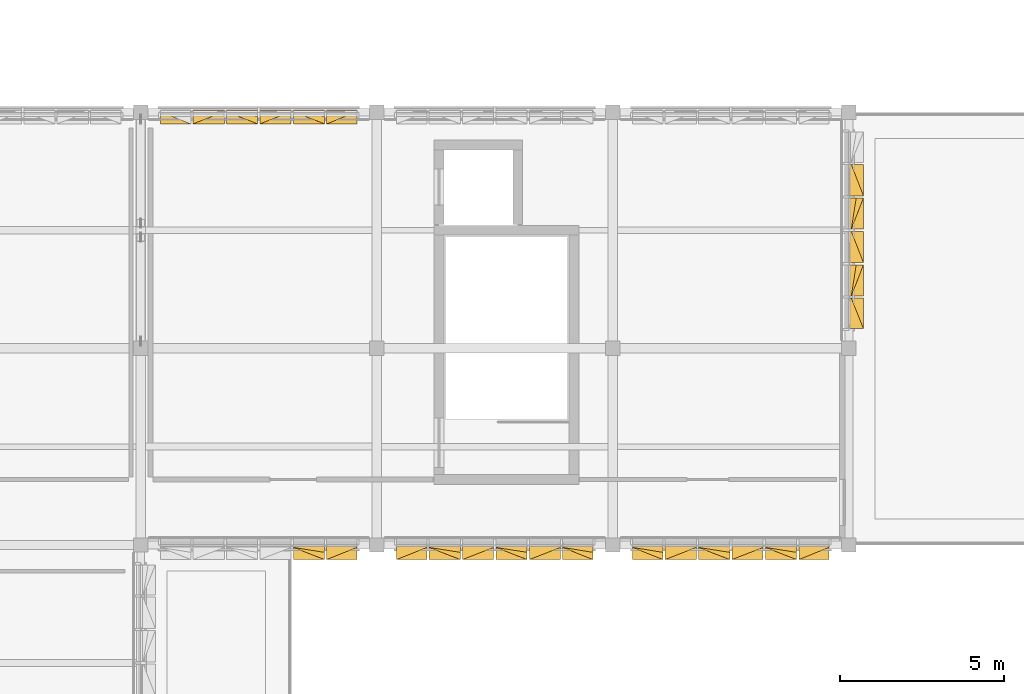
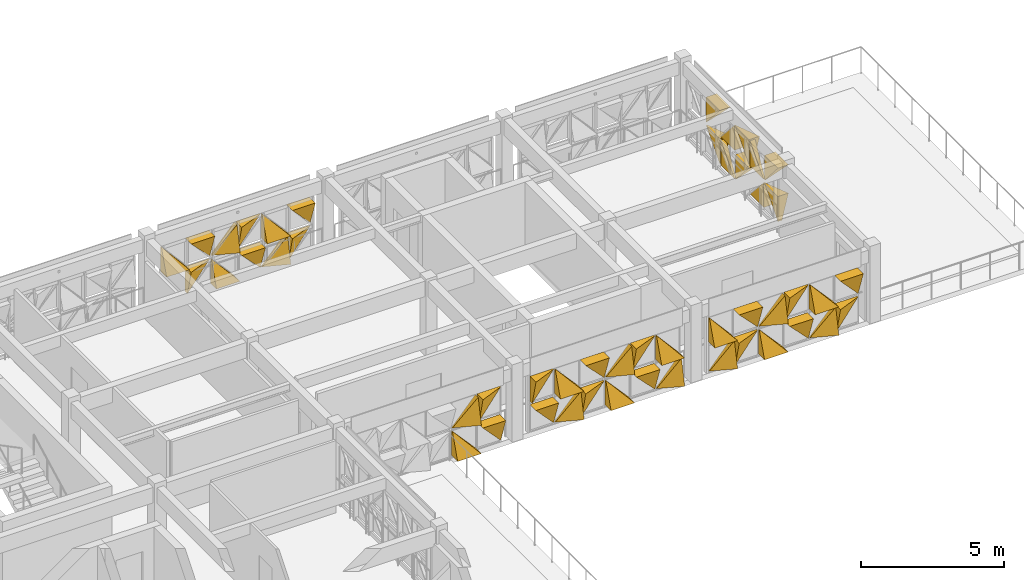
# One storey, part 34 of 35: 49 coverings.
"""IFC4 building model written with IfcOpenShell, lengths in metres."""

from ifc_helpers import new_model, si_unit, direction, frame, origin, place, context, subcontext, project, spatial, polygons, material, layer, layer_set, type_object, element, save


model = new_model("IFC4")

# Units and contexts
model_context = context("Model", 3, precision=1e-05, world=origin(), true_north=direction((0.0, 1.0)))
body_context = subcontext(model_context, "Body", "Model", "MODEL_VIEW")
ifc_project = project(units=[si_unit("LENGTHUNIT", "METRE"), si_unit("AREAUNIT", "SQUARE_METRE"), si_unit("VOLUMEUNIT", "CUBIC_METRE"), si_unit("PLANEANGLEUNIT", "RADIAN"), si_unit("MASSUNIT", "GRAM", prefix="KILO")], contexts=[model_context])

# Site, building, storey
site_placement = place(None, origin())
site = spatial("IfcSite", under=ifc_project, at=site_placement, CompositionType="ELEMENT")
building_placement = place(site_placement, origin())
building = spatial("IfcBuilding", under=site, at=building_placement, Name="Alvorim Cloister Faculty of Sciences", CompositionType="ELEMENT")
storey_placement = place(building_placement, frame((0.0, 0.0, 22.949951171875)))
storey = spatial("IfcBuildingStorey", under=building, at=storey_placement, Name="L06", CompositionType="ELEMENT", Elevation=22.949951171875)

# Coverings
ifc_material = material(Name="Perforated Bronze Alloy Sheet", Category="metal")
ifc_layer = layer(ifc_material, 0.0380859375)
ifc_layer_set = layer_set([ifc_layer], Name="Perforated Bronze Alloy Sheet")
covering_type = type_object("IfcCoveringType", Name="COV-TRI-BRZ", PredefinedType="CLADDING", material=ifc_layer_set)
covering_1_placement = place(storey_placement, frame((29.405029296875, 56.445068359375, 1.344970703125), z_axis=(0.0, 0.0, 1.0), x_axis=(1.0, 0.0, 0.0)))
element("IfcCovering", 1, at=covering_1_placement, inside=storey, type_object=covering_type, Name="Diagonal Solid Metal Triangle TRI-BL", PredefinedType="CLADDING", context=body_context, shape_type="Tessellation", body=[
    polygons([(0.0, 0.0260009765625, 0.0), (0.920607421875, 0.0260009765625, 0.0), (0.0, 0.0260009765625, 1.063185546875), (0.0, -0.4, 0.0), (0.920607421875, -0.4, 0.0), (0.0, -0.03, 1.063185546875)], [[[1, 3, 2]], [[4, 5, 6]], [[1, 2, 5, 4]], [[2, 3, 6, 5]], [[3, 1, 4, 6]]], closed=True),
])
covering_2_placement = place(storey_placement, frame((30.392578125, 56.445068359375, 0.14013671875), z_axis=(0.0, 0.0, 1.0), x_axis=(1.0, 0.0, 0.0)))
element("IfcCovering", 2, at=covering_2_placement, inside=storey, type_object=covering_type, Name="Diagonal Solid Metal Triangle TRI-TL", PredefinedType="CLADDING", context=body_context, shape_type="Tessellation", body=[
    polygons([(0.953078125, 0.0260009765625, 1.06494140625), (0.0, 0.0260009765625, 1.06494140625), (0.0, 0.0260009765625, 0.002), (0.953078125, -0.03, 1.06494140625), (0.0, -0.4, 1.06494140625), (0.0, -0.13999999999999999, 0.002)], [[[1, 3, 2]], [[4, 5, 6]], [[1, 2, 5, 4]], [[2, 3, 6, 5]], [[3, 1, 4, 6]]], closed=True),
])
covering_3_placement = place(storey_placement, frame((30.392578125, 56.445068359375, 1.344970703125), z_axis=(0.0, 0.0, 1.0), x_axis=(1.0, 0.0, 0.0)))
element("IfcCovering", 3, at=covering_3_placement, inside=storey, type_object=covering_type, Name="Diagonal Solid Metal Triangle TRI-TR", PredefinedType="CLADDING", context=body_context, shape_type="Tessellation", body=[
    polygons([(0.955078125, 0.0260009765625, 0.002), (0.955078125, 0.0260009765625, 1.065185546875), (0.002, 0.0260009765625, 1.065185546875), (0.955078125, -0.03, 0.002), (0.955078125, -0.4, 1.065185546875), (0.002, -0.4, 1.065185546875)], [[[1, 3, 2]], [[4, 5, 6]], [[1, 2, 5, 4]], [[2, 3, 6, 5]], [[3, 1, 4, 6]]], closed=True),
])
covering_4_placement = place(storey_placement, frame((31.41259765625, 56.445068359375, 0.14013671875), z_axis=(0.0, 0.0, 1.0), x_axis=(1.0, 0.0, 0.0)))
element("IfcCovering", 4, at=covering_4_placement, inside=storey, type_object=covering_type, Name="Diagonal Solid Metal Triangle TRI-BL", PredefinedType="CLADDING", context=body_context, shape_type="Tessellation", body=[
    polygons([(0.0, 0.0260009765625, 0.0), (0.953078125, 0.0260009765625, 0.0), (0.0, 0.0260009765625, 1.06294140625), (0.0, -0.4, 0.0), (0.953078125, -0.4, 0.0), (0.0, -0.03, 1.06294140625)], [[[1, 3, 2]], [[4, 5, 6]], [[1, 2, 5, 4]], [[2, 3, 6, 5]], [[3, 1, 4, 6]]], closed=True),
])
covering_5_placement = place(storey_placement, frame((31.41259765625, 56.445068359375, 1.344970703125), z_axis=(0.0, 0.0, 1.0), x_axis=(1.0, 0.0, 0.0)))
element("IfcCovering", 5, at=covering_5_placement, inside=storey, type_object=covering_type, Name="Diagonal Solid Metal Triangle TRI-BR", PredefinedType="CLADDING", context=body_context, shape_type="Tessellation", body=[
    polygons([(0.002, 0.0260009765625, 0.0), (0.955078125, 0.0260009765625, 0.0), (0.955078125, 0.0260009765625, 1.063185546875), (0.002, -0.03, 0.0), (0.955078125, -0.4, 0.0), (0.955078125, -0.18000000000000002, 1.063185546875)], [[[1, 3, 2]], [[4, 5, 6]], [[1, 2, 5, 4]], [[2, 3, 6, 5]], [[3, 1, 4, 6]]], closed=True),
])
covering_6_placement = place(storey_placement, frame((32.4326171875, 56.445068359375, 0.14013671875), z_axis=(0.0, 0.0, 1.0), x_axis=(1.0, 0.0, 0.0)))
element("IfcCovering", 6, at=covering_6_placement, inside=storey, type_object=covering_type, Name="Diagonal Solid Metal Triangle TRI-TR", PredefinedType="CLADDING", context=body_context, shape_type="Tessellation", body=[
    polygons([(0.955078125, 0.0260009765625, 0.002), (0.955078125, 0.0260009765625, 1.06494140625), (0.002, 0.0260009765625, 1.06494140625), (0.955078125, -0.03, 0.002), (0.955078125, -0.4, 1.06494140625), (0.002, -0.4, 1.06494140625)], [[[1, 3, 2]], [[4, 5, 6]], [[1, 2, 5, 4]], [[2, 3, 6, 5]], [[3, 1, 4, 6]]], closed=True),
])
covering_7_placement = place(storey_placement, frame((32.4326171875, 56.445068359375, 1.344970703125), z_axis=(0.0, 0.0, 1.0), x_axis=(1.0, 0.0, 0.0)))
element("IfcCovering", 7, at=covering_7_placement, inside=storey, type_object=covering_type, Name="Diagonal Solid Metal Triangle TRI-TL", PredefinedType="CLADDING", context=body_context, shape_type="Tessellation", body=[
    polygons([(0.953078125, 0.0260009765625, 1.065185546875), (0.0, 0.0260009765625, 1.065185546875), (0.0, 0.0260009765625, 0.002), (0.953078125, -0.03, 1.065185546875), (0.0, -0.4, 1.065185546875), (0.0, -0.13999999999999999, 0.002)], [[[1, 3, 2]], [[4, 5, 6]], [[1, 2, 5, 4]], [[2, 3, 6, 5]], [[3, 1, 4, 6]]], closed=True),
])
covering_8_placement = place(storey_placement, frame((33.452392578125, 56.445068359375, 0.14013671875), z_axis=(0.0, 0.0, 1.0), x_axis=(1.0, 0.0, 0.0)))
element("IfcCovering", 8, at=covering_8_placement, inside=storey, type_object=covering_type, Name="Diagonal Solid Metal Triangle TRI-BR", PredefinedType="CLADDING", context=body_context, shape_type="Tessellation", body=[
    polygons([(0.002, 0.0260009765625, 0.0), (0.955078125, 0.0260009765625, 0.0), (0.955078125, 0.0260009765625, 1.06294140625), (0.002, -0.03, 0.0), (0.955078125, -0.4, 0.0), (0.955078125, -0.18000000000000002, 1.06294140625)], [[[1, 3, 2]], [[4, 5, 6]], [[1, 2, 5, 4]], [[2, 3, 6, 5]], [[3, 1, 4, 6]]], closed=True),
])
covering_9_placement = place(storey_placement, frame((33.452392578125, 56.445068359375, 1.344970703125), z_axis=(0.0, 0.0, 1.0), x_axis=(1.0, 0.0, 0.0)))
element("IfcCovering", 9, at=covering_9_placement, inside=storey, type_object=covering_type, Name="Diagonal Solid Metal Triangle TRI-BL", PredefinedType="CLADDING", context=body_context, shape_type="Tessellation", body=[
    polygons([(0.0, 0.0260009765625, 0.0), (0.953078125, 0.0260009765625, 0.0), (0.0, 0.0260009765625, 1.063185546875), (0.0, -0.4, 0.0), (0.953078125, -0.4, 0.0), (0.0, -0.03, 1.063185546875)], [[[1, 3, 2]], [[4, 5, 6]], [[1, 2, 5, 4]], [[2, 3, 6, 5]], [[3, 1, 4, 6]]], closed=True),
])
covering_10_placement = place(storey_placement, frame((34.472412109375, 56.445068359375, 0.14013671875), z_axis=(0.0, 0.0, 1.0), x_axis=(1.0, 0.0, 0.0)))
element("IfcCovering", 10, at=covering_10_placement, inside=storey, type_object=covering_type, Name="Diagonal Solid Metal Triangle TRI-TL", PredefinedType="CLADDING", context=body_context, shape_type="Tessellation", body=[
    polygons([(0.920607421875, 0.0260009765625, 1.06494140625), (0.0, 0.0260009765625, 1.06494140625), (0.0, 0.0260009765625, 0.002), (0.920607421875, -0.03, 1.06494140625), (0.0, -0.4, 1.06494140625), (0.0, -0.13999999999999999, 0.002)], [[[1, 3, 2]], [[4, 5, 6]], [[1, 2, 5, 4]], [[2, 3, 6, 5]], [[3, 1, 4, 6]]], closed=True),
])
covering_11_placement = place(storey_placement, frame((34.472412109375, 56.445068359375, 1.344970703125), z_axis=(0.0, 0.0, 1.0), x_axis=(1.0, 0.0, 0.0)))
element("IfcCovering", 11, at=covering_11_placement, inside=storey, type_object=covering_type, Name="Diagonal Solid Metal Triangle TRI-TR", PredefinedType="CLADDING", context=body_context, shape_type="Tessellation", body=[
    polygons([(0.922607421875, 0.0260009765625, 0.002), (0.922607421875, 0.0260009765625, 1.065185546875), (0.002, 0.0260009765625, 1.065185546875), (0.922607421875, -0.03, 0.002), (0.922607421875, -0.4, 1.065185546875), (0.002, -0.4, 1.065185546875)], [[[1, 3, 2]], [[4, 5, 6]], [[1, 2, 5, 4]], [[2, 3, 6, 5]], [[3, 1, 4, 6]]], closed=True),
])
covering_12_placement = place(storey_placement, frame((50.445068359375, 49.804931640625, 0.14013671875), z_axis=(0.0, 0.0, 1.0), x_axis=(0.0, 1.0, 0.0)))
element("IfcCovering", 12, at=covering_12_placement, inside=storey, type_object=covering_type, Name="Diagonal Solid Metal Triangle TRI-TL", PredefinedType="CLADDING", context=body_context, shape_type="Tessellation", body=[
    polygons([(0.920607421875, 0.0260009765625, 1.06494140625), (0.0, 0.0260009765625, 1.06494140625), (0.0, 0.0260009765625, 0.002), (0.920607421875, -0.03, 1.06494140625), (0.0, -0.4, 1.06494140625), (0.0, -0.13999999999999999, 0.002)], [[[1, 3, 2]], [[4, 5, 6]], [[1, 2, 5, 4]], [[2, 3, 6, 5]], [[3, 1, 4, 6]]], closed=True),
])
covering_13_placement = place(storey_placement, frame((50.445068359375, 49.804931640625, 1.344970703125), z_axis=(0.0, 0.0, 1.0), x_axis=(0.0, 1.0, 0.0)))
element("IfcCovering", 13, at=covering_13_placement, inside=storey, type_object=covering_type, Name="Diagonal Solid Metal Triangle TRI-TR", PredefinedType="CLADDING", context=body_context, shape_type="Tessellation", body=[
    polygons([(0.922607421875, 0.0260009765625, 0.002), (0.922607421875, 0.0260009765625, 1.065185546875), (0.002, 0.0260009765625, 1.065185546875), (0.922607421875, -0.03, 0.002), (0.922607421875, -0.4, 1.065185546875), (0.002, -0.4, 1.065185546875)], [[[1, 3, 2]], [[4, 5, 6]], [[1, 2, 5, 4]], [[2, 3, 6, 5]], [[3, 1, 4, 6]]], closed=True),
])
covering_14_placement = place(storey_placement, frame((50.445068359375, 50.79248046875, 0.14013671875), z_axis=(0.0, 0.0, 1.0), x_axis=(0.0, 1.0, 0.0)))
element("IfcCovering", 14, at=covering_14_placement, inside=storey, type_object=covering_type, Name="Diagonal Solid Metal Triangle TRI-BL", PredefinedType="CLADDING", context=body_context, shape_type="Tessellation", body=[
    polygons([(0.0, 0.0260009765625, 0.0), (0.953078125, 0.0260009765625, 0.0), (0.0, 0.0260009765625, 1.06294140625), (0.0, -0.4, 0.0), (0.953078125, -0.4, 0.0), (0.0, -0.03, 1.06294140625)], [[[1, 3, 2]], [[4, 5, 6]], [[1, 2, 5, 4]], [[2, 3, 6, 5]], [[3, 1, 4, 6]]], closed=True),
])
covering_15_placement = place(storey_placement, frame((50.445068359375, 50.79248046875, 1.344970703125), z_axis=(0.0, 0.0, 1.0), x_axis=(0.0, 1.0, 0.0)))
element("IfcCovering", 15, at=covering_15_placement, inside=storey, type_object=covering_type, Name="Diagonal Solid Metal Triangle TRI-BR", PredefinedType="CLADDING", context=body_context, shape_type="Tessellation", body=[
    polygons([(0.002, 0.0260009765625, 0.0), (0.955078125, 0.0260009765625, 0.0), (0.955078125, 0.0260009765625, 1.063185546875), (0.002, -0.03, 0.0), (0.955078125, -0.4, 0.0), (0.955078125, -0.18000000000000002, 1.063185546875)], [[[1, 3, 2]], [[4, 5, 6]], [[1, 2, 5, 4]], [[2, 3, 6, 5]], [[3, 1, 4, 6]]], closed=True),
])
covering_16_placement = place(storey_placement, frame((50.445068359375, 51.8125, 0.14013671875), z_axis=(0.0, 0.0, 1.0), x_axis=(0.0, 1.0, 0.0)))
element("IfcCovering", 16, at=covering_16_placement, inside=storey, type_object=covering_type, Name="Diagonal Solid Metal Triangle TRI-TR", PredefinedType="CLADDING", context=body_context, shape_type="Tessellation", body=[
    polygons([(0.955078125, 0.0260009765625, 0.002), (0.955078125, 0.0260009765625, 1.06494140625), (0.002, 0.0260009765625, 1.06494140625), (0.955078125, -0.03, 0.002), (0.955078125, -0.4, 1.06494140625), (0.002, -0.4, 1.06494140625)], [[[1, 3, 2]], [[4, 5, 6]], [[1, 2, 5, 4]], [[2, 3, 6, 5]], [[3, 1, 4, 6]]], closed=True),
])
covering_17_placement = place(storey_placement, frame((50.445068359375, 51.8125, 1.344970703125), z_axis=(0.0, 0.0, 1.0), x_axis=(0.0, 1.0, 0.0)))
element("IfcCovering", 17, at=covering_17_placement, inside=storey, type_object=covering_type, Name="Diagonal Solid Metal Triangle TRI-TL", PredefinedType="CLADDING", context=body_context, shape_type="Tessellation", body=[
    polygons([(0.953078125, 0.0260009765625, 1.065185546875), (0.0, 0.0260009765625, 1.065185546875), (0.0, 0.0260009765625, 0.002), (0.953078125, -0.03, 1.065185546875), (0.0, -0.4, 1.065185546875), (0.0, -0.13999999999999999, 0.002)], [[[1, 3, 2]], [[4, 5, 6]], [[1, 2, 5, 4]], [[2, 3, 6, 5]], [[3, 1, 4, 6]]], closed=True),
])
covering_18_placement = place(storey_placement, frame((50.445068359375, 52.83251953125, 0.14013671875), z_axis=(0.0, 0.0, 1.0), x_axis=(0.0, 1.0, 0.0)))
element("IfcCovering", 18, at=covering_18_placement, inside=storey, type_object=covering_type, Name="Diagonal Solid Metal Triangle TRI-BR", PredefinedType="CLADDING", context=body_context, shape_type="Tessellation", body=[
    polygons([(0.002, 0.0260009765625, 0.0), (0.955078125, 0.0260009765625, 0.0), (0.955078125, 0.0260009765625, 1.06294140625), (0.002, -0.03, 0.0), (0.955078125, -0.4, 0.0), (0.955078125, -0.18000000000000002, 1.06294140625)], [[[1, 3, 2]], [[4, 5, 6]], [[1, 2, 5, 4]], [[2, 3, 6, 5]], [[3, 1, 4, 6]]], closed=True),
])
covering_19_placement = place(storey_placement, frame((50.445068359375, 52.83251953125, 1.344970703125), z_axis=(0.0, 0.0, 1.0), x_axis=(0.0, 1.0, 0.0)))
element("IfcCovering", 19, at=covering_19_placement, inside=storey, type_object=covering_type, Name="Diagonal Solid Metal Triangle TRI-BL", PredefinedType="CLADDING", context=body_context, shape_type="Tessellation", body=[
    polygons([(0.0, 0.0260009765625, 0.0), (0.953078125, 0.0260009765625, 0.0), (0.0, 0.0260009765625, 1.063185546875), (0.0, -0.4, 0.0), (0.953078125, -0.4, 0.0), (0.0, -0.03, 1.063185546875)], [[[1, 3, 2]], [[4, 5, 6]], [[1, 2, 5, 4]], [[2, 3, 6, 5]], [[3, 1, 4, 6]]], closed=True),
])
covering_20_placement = place(storey_placement, frame((50.445068359375, 53.8525390625, 0.14013671875), z_axis=(0.0, 0.0, 1.0), x_axis=(0.0, 1.0, 0.0)))
element("IfcCovering", 20, at=covering_20_placement, inside=storey, type_object=covering_type, Name="Diagonal Solid Metal Triangle TRI-TL", PredefinedType="CLADDING", context=body_context, shape_type="Tessellation", body=[
    polygons([(0.953078125, 0.0260009765625, 1.06494140625), (0.0, 0.0260009765625, 1.06494140625), (0.0, 0.0260009765625, 0.002), (0.953078125, -0.03, 1.06494140625), (0.0, -0.4, 1.06494140625), (0.0, -0.13999999999999999, 0.002)], [[[1, 3, 2]], [[4, 5, 6]], [[1, 2, 5, 4]], [[2, 3, 6, 5]], [[3, 1, 4, 6]]], closed=True),
])
covering_21_placement = place(storey_placement, frame((50.445068359375, 53.8525390625, 1.344970703125), z_axis=(0.0, 0.0, 1.0), x_axis=(0.0, 1.0, 0.0)))
element("IfcCovering", 21, at=covering_21_placement, inside=storey, type_object=covering_type, Name="Diagonal Solid Metal Triangle TRI-TR", PredefinedType="CLADDING", context=body_context, shape_type="Tessellation", body=[
    polygons([(0.955078125, 0.0260009765625, 0.002), (0.955078125, 0.0260009765625, 1.065185546875), (0.002, 0.0260009765625, 1.065185546875), (0.955078125, -0.03, 0.002), (0.955078125, -0.4, 1.065185546875), (0.002, -0.4, 1.065185546875)], [[[1, 3, 2]], [[4, 5, 6]], [[1, 2, 5, 4]], [[2, 3, 6, 5]], [[3, 1, 4, 6]]], closed=True),
])
covering_22_placement = place(storey_placement, frame((43.804931640625, 43.155029296875, 0.14013671875), z_axis=(0.0, 0.0, 1.0), x_axis=(1.0, 0.0, 0.0)))
element("IfcCovering", 22, at=covering_22_placement, inside=storey, type_object=covering_type, Name="Diagonal Solid Metal Triangle TRI-BR", PredefinedType="CLADDING", context=body_context, shape_type="Tessellation", body=[
    polygons([(0.002, 0.0260009765625, 0.0), (0.922607421875, 0.0260009765625, 0.0), (0.922607421875, 0.0260009765625, 1.06294140625), (0.002, -0.03, 0.0), (0.922607421875, -0.4, 0.0), (0.922607421875, -0.18000000000000002, 1.06294140625)], [[[1, 3, 2]], [[4, 5, 6]], [[1, 2, 5, 4]], [[2, 3, 6, 5]], [[3, 1, 4, 6]]], closed=True),
])
covering_23_placement = place(storey_placement, frame((43.804931640625, 43.155029296875, 1.344970703125), z_axis=(0.0, 0.0, 1.0), x_axis=(1.0, 0.0, 0.0)))
element("IfcCovering", 23, at=covering_23_placement, inside=storey, type_object=covering_type, Name="Diagonal Solid Metal Triangle TRI-BL", PredefinedType="CLADDING", context=body_context, shape_type="Tessellation", body=[
    polygons([(0.0, 0.0260009765625, 0.0), (0.920607421875, 0.0260009765625, 0.0), (0.0, 0.0260009765625, 1.063185546875), (0.0, -0.4, 0.0), (0.920607421875, -0.4, 0.0), (0.0, -0.03, 1.063185546875)], [[[1, 3, 2]], [[4, 5, 6]], [[1, 2, 5, 4]], [[2, 3, 6, 5]], [[3, 1, 4, 6]]], closed=True),
])
covering_24_placement = place(storey_placement, frame((44.79248046875, 43.155029296875, 0.14013671875), z_axis=(0.0, 0.0, 1.0), x_axis=(1.0, 0.0, 0.0)))
element("IfcCovering", 24, at=covering_24_placement, inside=storey, type_object=covering_type, Name="Diagonal Solid Metal Triangle TRI-TL", PredefinedType="CLADDING", context=body_context, shape_type="Tessellation", body=[
    polygons([(0.953078125, 0.0260009765625, 1.06494140625), (0.0, 0.0260009765625, 1.06494140625), (0.0, 0.0260009765625, 0.002), (0.953078125, -0.03, 1.06494140625), (0.0, -0.4, 1.06494140625), (0.0, -0.13999999999999999, 0.002)], [[[1, 3, 2]], [[4, 5, 6]], [[1, 2, 5, 4]], [[2, 3, 6, 5]], [[3, 1, 4, 6]]], closed=True),
])
covering_25_placement = place(storey_placement, frame((44.79248046875, 43.155029296875, 1.344970703125), z_axis=(0.0, 0.0, 1.0), x_axis=(1.0, 0.0, 0.0)))
element("IfcCovering", 25, at=covering_25_placement, inside=storey, type_object=covering_type, Name="Diagonal Solid Metal Triangle TRI-TR", PredefinedType="CLADDING", context=body_context, shape_type="Tessellation", body=[
    polygons([(0.955078125, 0.0260009765625, 0.002), (0.955078125, 0.0260009765625, 1.065185546875), (0.002, 0.0260009765625, 1.065185546875), (0.955078125, -0.03, 0.002), (0.955078125, -0.4, 1.065185546875), (0.002, -0.4, 1.065185546875)], [[[1, 3, 2]], [[4, 5, 6]], [[1, 2, 5, 4]], [[2, 3, 6, 5]], [[3, 1, 4, 6]]], closed=True),
])
covering_26_placement = place(storey_placement, frame((45.8125, 43.155029296875, 0.14013671875), z_axis=(0.0, 0.0, 1.0), x_axis=(1.0, 0.0, 0.0)))
element("IfcCovering", 26, at=covering_26_placement, inside=storey, type_object=covering_type, Name="Diagonal Solid Metal Triangle TRI-BL", PredefinedType="CLADDING", context=body_context, shape_type="Tessellation", body=[
    polygons([(0.0, 0.0260009765625, 0.0), (0.953078125, 0.0260009765625, 0.0), (0.0, 0.0260009765625, 1.06294140625), (0.0, -0.4, 0.0), (0.953078125, -0.4, 0.0), (0.0, -0.03, 1.06294140625)], [[[1, 3, 2]], [[4, 5, 6]], [[1, 2, 5, 4]], [[2, 3, 6, 5]], [[3, 1, 4, 6]]], closed=True),
])
covering_27_placement = place(storey_placement, frame((45.8125, 43.155029296875, 1.344970703125), z_axis=(0.0, 0.0, 1.0), x_axis=(1.0, 0.0, 0.0)))
element("IfcCovering", 27, at=covering_27_placement, inside=storey, type_object=covering_type, Name="Diagonal Solid Metal Triangle TRI-BR", PredefinedType="CLADDING", context=body_context, shape_type="Tessellation", body=[
    polygons([(0.002, 0.0260009765625, 0.0), (0.955078125, 0.0260009765625, 0.0), (0.955078125, 0.0260009765625, 1.063185546875), (0.002, -0.03, 0.0), (0.955078125, -0.4, 0.0), (0.955078125, -0.18000000000000002, 1.063185546875)], [[[1, 3, 2]], [[4, 5, 6]], [[1, 2, 5, 4]], [[2, 3, 6, 5]], [[3, 1, 4, 6]]], closed=True),
])
covering_28_placement = place(storey_placement, frame((46.83251953125, 43.155029296875, 0.14013671875), z_axis=(0.0, 0.0, 1.0), x_axis=(1.0, 0.0, 0.0)))
element("IfcCovering", 28, at=covering_28_placement, inside=storey, type_object=covering_type, Name="Diagonal Solid Metal Triangle TRI-TR", PredefinedType="CLADDING", context=body_context, shape_type="Tessellation", body=[
    polygons([(0.955078125, 0.0260009765625, 0.002), (0.955078125, 0.0260009765625, 1.06494140625), (0.002, 0.0260009765625, 1.06494140625), (0.955078125, -0.03, 0.002), (0.955078125, -0.4, 1.06494140625), (0.002, -0.4, 1.06494140625)], [[[1, 3, 2]], [[4, 5, 6]], [[1, 2, 5, 4]], [[2, 3, 6, 5]], [[3, 1, 4, 6]]], closed=True),
])
covering_29_placement = place(storey_placement, frame((46.83251953125, 43.155029296875, 1.344970703125), z_axis=(0.0, 0.0, 1.0), x_axis=(1.0, 0.0, 0.0)))
element("IfcCovering", 29, at=covering_29_placement, inside=storey, type_object=covering_type, Name="Diagonal Solid Metal Triangle TRI-TL", PredefinedType="CLADDING", context=body_context, shape_type="Tessellation", body=[
    polygons([(0.953078125, 0.0260009765625, 1.065185546875), (0.0, 0.0260009765625, 1.065185546875), (0.0, 0.0260009765625, 0.002), (0.953078125, -0.03, 1.065185546875), (0.0, -0.4, 1.065185546875), (0.0, -0.13999999999999999, 0.002)], [[[1, 3, 2]], [[4, 5, 6]], [[1, 2, 5, 4]], [[2, 3, 6, 5]], [[3, 1, 4, 6]]], closed=True),
])
covering_30_placement = place(storey_placement, frame((47.8525390625, 43.155029296875, 0.14013671875), z_axis=(0.0, 0.0, 1.0), x_axis=(1.0, 0.0, 0.0)))
element("IfcCovering", 30, at=covering_30_placement, inside=storey, type_object=covering_type, Name="Diagonal Solid Metal Triangle TRI-BR", PredefinedType="CLADDING", context=body_context, shape_type="Tessellation", body=[
    polygons([(0.002, 0.0260009765625, 0.0), (0.955078125, 0.0260009765625, 0.0), (0.955078125, 0.0260009765625, 1.06294140625), (0.002, -0.03, 0.0), (0.955078125, -0.4, 0.0), (0.955078125, -0.18000000000000002, 1.06294140625)], [[[1, 3, 2]], [[4, 5, 6]], [[1, 2, 5, 4]], [[2, 3, 6, 5]], [[3, 1, 4, 6]]], closed=True),
])
covering_31_placement = place(storey_placement, frame((47.8525390625, 43.155029296875, 1.344970703125), z_axis=(0.0, 0.0, 1.0), x_axis=(1.0, 0.0, 0.0)))
element("IfcCovering", 31, at=covering_31_placement, inside=storey, type_object=covering_type, Name="Diagonal Solid Metal Triangle TRI-BL", PredefinedType="CLADDING", context=body_context, shape_type="Tessellation", body=[
    polygons([(0.0, 0.0260009765625, 0.0), (0.953078125, 0.0260009765625, 0.0), (0.0, 0.0260009765625, 1.063185546875), (0.0, -0.4, 0.0), (0.953078125, -0.4, 0.0), (0.0, -0.03, 1.063185546875)], [[[1, 3, 2]], [[4, 5, 6]], [[1, 2, 5, 4]], [[2, 3, 6, 5]], [[3, 1, 4, 6]]], closed=True),
])
covering_32_placement = place(storey_placement, frame((48.87255859375, 43.155029296875, 0.14013671875), z_axis=(0.0, 0.0, 1.0), x_axis=(1.0, 0.0, 0.0)))
element("IfcCovering", 32, at=covering_32_placement, inside=storey, type_object=covering_type, Name="Diagonal Solid Metal Triangle TRI-TL", PredefinedType="CLADDING", context=body_context, shape_type="Tessellation", body=[
    polygons([(0.920607421875, 0.0260009765625, 1.06494140625), (0.0, 0.0260009765625, 1.06494140625), (0.0, 0.0260009765625, 0.002), (0.920607421875, -0.03, 1.06494140625), (0.0, -0.4, 1.06494140625), (0.0, -0.13999999999999999, 0.002)], [[[1, 3, 2]], [[4, 5, 6]], [[1, 2, 5, 4]], [[2, 3, 6, 5]], [[3, 1, 4, 6]]], closed=True),
])
covering_33_placement = place(storey_placement, frame((48.87255859375, 43.155029296875, 1.344970703125), z_axis=(0.0, 0.0, 1.0), x_axis=(1.0, 0.0, 0.0)))
element("IfcCovering", 33, at=covering_33_placement, inside=storey, type_object=covering_type, Name="Diagonal Solid Metal Triangle TRI-TR", PredefinedType="CLADDING", context=body_context, shape_type="Tessellation", body=[
    polygons([(0.922607421875, 0.0260009765625, 0.002), (0.922607421875, 0.0260009765625, 1.065185546875), (0.002, 0.0260009765625, 1.065185546875), (0.922607421875, -0.03, 0.002), (0.922607421875, -0.4, 1.065185546875), (0.002, -0.4, 1.065185546875)], [[[1, 3, 2]], [[4, 5, 6]], [[1, 2, 5, 4]], [[2, 3, 6, 5]], [[3, 1, 4, 6]]], closed=True),
])
covering_34_placement = place(storey_placement, frame((36.60498046875, 43.155029296875, 0.14013671875), z_axis=(0.0, 0.0, 1.0), x_axis=(1.0, 0.0, 0.0)))
element("IfcCovering", 34, at=covering_34_placement, inside=storey, type_object=covering_type, Name="Diagonal Solid Metal Triangle TRI-TR", PredefinedType="CLADDING", context=body_context, shape_type="Tessellation", body=[
    polygons([(0.922607421875, 0.0260009765625, 0.002), (0.922607421875, 0.0260009765625, 1.06494140625), (0.002, 0.0260009765625, 1.06494140625), (0.922607421875, -0.03, 0.002), (0.922607421875, -0.4, 1.06494140625), (0.002, -0.4, 1.06494140625)], [[[1, 3, 2]], [[4, 5, 6]], [[1, 2, 5, 4]], [[2, 3, 6, 5]], [[3, 1, 4, 6]]], closed=True),
])
covering_35_placement = place(storey_placement, frame((36.60498046875, 43.155029296875, 1.344970703125), z_axis=(0.0, 0.0, 1.0), x_axis=(1.0, 0.0, 0.0)))
element("IfcCovering", 35, at=covering_35_placement, inside=storey, type_object=covering_type, Name="Diagonal Solid Metal Triangle TRI-TL", PredefinedType="CLADDING", context=body_context, shape_type="Tessellation", body=[
    polygons([(0.920607421875, 0.0260009765625, 1.065185546875), (0.0, 0.0260009765625, 1.065185546875), (0.0, 0.0260009765625, 0.002), (0.920607421875, -0.03, 1.065185546875), (0.0, -0.4, 1.065185546875), (0.0, -0.13999999999999999, 0.002)], [[[1, 3, 2]], [[4, 5, 6]], [[1, 2, 5, 4]], [[2, 3, 6, 5]], [[3, 1, 4, 6]]], closed=True),
])
covering_36_placement = place(storey_placement, frame((37.592529296875, 43.155029296875, 0.14013671875), z_axis=(0.0, 0.0, 1.0), x_axis=(1.0, 0.0, 0.0)))
element("IfcCovering", 36, at=covering_36_placement, inside=storey, type_object=covering_type, Name="Diagonal Solid Metal Triangle TRI-BR", PredefinedType="CLADDING", context=body_context, shape_type="Tessellation", body=[
    polygons([(0.002, 0.0260009765625, 0.0), (0.955078125, 0.0260009765625, 0.0), (0.955078125, 0.0260009765625, 1.06294140625), (0.002, -0.03, 0.0), (0.955078125, -0.4, 0.0), (0.955078125, -0.18000000000000002, 1.06294140625)], [[[1, 3, 2]], [[4, 5, 6]], [[1, 2, 5, 4]], [[2, 3, 6, 5]], [[3, 1, 4, 6]]], closed=True),
])
covering_37_placement = place(storey_placement, frame((37.592529296875, 43.155029296875, 1.344970703125), z_axis=(0.0, 0.0, 1.0), x_axis=(1.0, 0.0, 0.0)))
element("IfcCovering", 37, at=covering_37_placement, inside=storey, type_object=covering_type, Name="Diagonal Solid Metal Triangle TRI-BL", PredefinedType="CLADDING", context=body_context, shape_type="Tessellation", body=[
    polygons([(0.0, 0.0260009765625, 0.0), (0.953078125, 0.0260009765625, 0.0), (0.0, 0.0260009765625, 1.063185546875), (0.0, -0.4, 0.0), (0.953078125, -0.4, 0.0), (0.0, -0.03, 1.063185546875)], [[[1, 3, 2]], [[4, 5, 6]], [[1, 2, 5, 4]], [[2, 3, 6, 5]], [[3, 1, 4, 6]]], closed=True),
])
covering_38_placement = place(storey_placement, frame((38.612548828125, 43.155029296875, 0.14013671875), z_axis=(0.0, 0.0, 1.0), x_axis=(1.0, 0.0, 0.0)))
element("IfcCovering", 38, at=covering_38_placement, inside=storey, type_object=covering_type, Name="Diagonal Solid Metal Triangle TRI-TL", PredefinedType="CLADDING", context=body_context, shape_type="Tessellation", body=[
    polygons([(0.953078125, 0.0260009765625, 1.06494140625), (0.0, 0.0260009765625, 1.06494140625), (0.0, 0.0260009765625, 0.002), (0.953078125, -0.03, 1.06494140625), (0.0, -0.4, 1.06494140625), (0.0, -0.13999999999999999, 0.002)], [[[1, 3, 2]], [[4, 5, 6]], [[1, 2, 5, 4]], [[2, 3, 6, 5]], [[3, 1, 4, 6]]], closed=True),
])
covering_39_placement = place(storey_placement, frame((38.612548828125, 43.155029296875, 1.344970703125), z_axis=(0.0, 0.0, 1.0), x_axis=(1.0, 0.0, 0.0)))
element("IfcCovering", 39, at=covering_39_placement, inside=storey, type_object=covering_type, Name="Diagonal Solid Metal Triangle TRI-TR", PredefinedType="CLADDING", context=body_context, shape_type="Tessellation", body=[
    polygons([(0.955078125, 0.0260009765625, 0.002), (0.955078125, 0.0260009765625, 1.065185546875), (0.002, 0.0260009765625, 1.065185546875), (0.955078125, -0.03, 0.002), (0.955078125, -0.4, 1.065185546875), (0.002, -0.4, 1.065185546875)], [[[1, 3, 2]], [[4, 5, 6]], [[1, 2, 5, 4]], [[2, 3, 6, 5]], [[3, 1, 4, 6]]], closed=True),
])
covering_40_placement = place(storey_placement, frame((39.632568359375, 43.155029296875, 0.14013671875), z_axis=(0.0, 0.0, 1.0), x_axis=(1.0, 0.0, 0.0)))
element("IfcCovering", 40, at=covering_40_placement, inside=storey, type_object=covering_type, Name="Diagonal Solid Metal Triangle TRI-BL", PredefinedType="CLADDING", context=body_context, shape_type="Tessellation", body=[
    polygons([(0.0, 0.0260009765625, 0.0), (0.953078125, 0.0260009765625, 0.0), (0.0, 0.0260009765625, 1.06294140625), (0.0, -0.4, 0.0), (0.953078125, -0.4, 0.0), (0.0, -0.03, 1.06294140625)], [[[1, 3, 2]], [[4, 5, 6]], [[1, 2, 5, 4]], [[2, 3, 6, 5]], [[3, 1, 4, 6]]], closed=True),
])
covering_41_placement = place(storey_placement, frame((39.632568359375, 43.155029296875, 1.344970703125), z_axis=(0.0, 0.0, 1.0), x_axis=(1.0, 0.0, 0.0)))
element("IfcCovering", 41, at=covering_41_placement, inside=storey, type_object=covering_type, Name="Diagonal Solid Metal Triangle TRI-BR", PredefinedType="CLADDING", context=body_context, shape_type="Tessellation", body=[
    polygons([(0.002, 0.0260009765625, 0.0), (0.955078125, 0.0260009765625, 0.0), (0.955078125, 0.0260009765625, 1.063185546875), (0.002, -0.03, 0.0), (0.955078125, -0.4, 0.0), (0.955078125, -0.18000000000000002, 1.063185546875)], [[[1, 3, 2]], [[4, 5, 6]], [[1, 2, 5, 4]], [[2, 3, 6, 5]], [[3, 1, 4, 6]]], closed=True),
])
covering_42_placement = place(storey_placement, frame((40.652587890625, 43.155029296875, 0.14013671875), z_axis=(0.0, 0.0, 1.0), x_axis=(1.0, 0.0, 0.0)))
element("IfcCovering", 42, at=covering_42_placement, inside=storey, type_object=covering_type, Name="Diagonal Solid Metal Triangle TRI-TR", PredefinedType="CLADDING", context=body_context, shape_type="Tessellation", body=[
    polygons([(0.955078125, 0.0260009765625, 0.002), (0.955078125, 0.0260009765625, 1.06494140625), (0.002, 0.0260009765625, 1.06494140625), (0.955078125, -0.03, 0.002), (0.955078125, -0.4, 1.06494140625), (0.002, -0.4, 1.06494140625)], [[[1, 3, 2]], [[4, 5, 6]], [[1, 2, 5, 4]], [[2, 3, 6, 5]], [[3, 1, 4, 6]]], closed=True),
])
covering_43_placement = place(storey_placement, frame((40.652587890625, 43.155029296875, 1.344970703125), z_axis=(0.0, 0.0, 1.0), x_axis=(1.0, 0.0, 0.0)))
element("IfcCovering", 43, at=covering_43_placement, inside=storey, type_object=covering_type, Name="Diagonal Solid Metal Triangle TRI-TL", PredefinedType="CLADDING", context=body_context, shape_type="Tessellation", body=[
    polygons([(0.953078125, 0.0260009765625, 1.065185546875), (0.0, 0.0260009765625, 1.065185546875), (0.0, 0.0260009765625, 0.002), (0.953078125, -0.03, 1.065185546875), (0.0, -0.4, 1.065185546875), (0.0, -0.13999999999999999, 0.002)], [[[1, 3, 2]], [[4, 5, 6]], [[1, 2, 5, 4]], [[2, 3, 6, 5]], [[3, 1, 4, 6]]], closed=True),
])
covering_44_placement = place(storey_placement, frame((41.672607421875, 43.155029296875, 0.14013671875), z_axis=(0.0, 0.0, 1.0), x_axis=(1.0, 0.0, 0.0)))
element("IfcCovering", 44, at=covering_44_placement, inside=storey, type_object=covering_type, Name="Diagonal Solid Metal Triangle TRI-BR", PredefinedType="CLADDING", context=body_context, shape_type="Tessellation", body=[
    polygons([(0.002, 0.0260009765625, 0.0), (0.922607421875, 0.0260009765625, 0.0), (0.922607421875, 0.0260009765625, 1.06294140625), (0.002, -0.03, 0.0), (0.922607421875, -0.4, 0.0), (0.922607421875, -0.18000000000000002, 1.06294140625)], [[[1, 3, 2]], [[4, 5, 6]], [[1, 2, 5, 4]], [[2, 3, 6, 5]], [[3, 1, 4, 6]]], closed=True),
])
covering_45_placement = place(storey_placement, frame((41.672607421875, 43.155029296875, 1.344970703125), z_axis=(0.0, 0.0, 1.0), x_axis=(1.0, 0.0, 0.0)))
element("IfcCovering", 45, at=covering_45_placement, inside=storey, type_object=covering_type, Name="Diagonal Solid Metal Triangle TRI-BL", PredefinedType="CLADDING", context=body_context, shape_type="Tessellation", body=[
    polygons([(0.0, 0.0260009765625, 0.0), (0.920607421875, 0.0260009765625, 0.0), (0.0, 0.0260009765625, 1.063185546875), (0.0, -0.4, 0.0), (0.920607421875, -0.4, 0.0), (0.0, -0.03, 1.063185546875)], [[[1, 3, 2]], [[4, 5, 6]], [[1, 2, 5, 4]], [[2, 3, 6, 5]], [[3, 1, 4, 6]]], closed=True),
])
covering_46_placement = place(storey_placement, frame((33.452392578125, 43.155029296875, 0.14013671875), z_axis=(0.0, 0.0, 1.0), x_axis=(1.0, 0.0, 0.0)))
element("IfcCovering", 46, at=covering_46_placement, inside=storey, type_object=covering_type, Name="Diagonal Solid Metal Triangle TRI-BL", PredefinedType="CLADDING", context=body_context, shape_type="Tessellation", body=[
    polygons([(0.0, 0.0260009765625, 0.0), (0.953078125, 0.0260009765625, 0.0), (0.0, 0.0260009765625, 1.06294140625), (0.0, -0.4, 0.0), (0.953078125, -0.4, 0.0), (0.0, -0.03, 1.06294140625)], [[[1, 3, 2]], [[4, 5, 6]], [[1, 2, 5, 4]], [[2, 3, 6, 5]], [[3, 1, 4, 6]]], closed=True),
])
covering_47_placement = place(storey_placement, frame((33.452392578125, 43.155029296875, 1.344970703125), z_axis=(0.0, 0.0, 1.0), x_axis=(1.0, 0.0, 0.0)))
element("IfcCovering", 47, at=covering_47_placement, inside=storey, type_object=covering_type, Name="Diagonal Solid Metal Triangle TRI-BR", PredefinedType="CLADDING", context=body_context, shape_type="Tessellation", body=[
    polygons([(0.002, 0.0260009765625, 0.0), (0.955078125, 0.0260009765625, 0.0), (0.955078125, 0.0260009765625, 1.063185546875), (0.002, -0.03, 0.0), (0.955078125, -0.4, 0.0), (0.955078125, -0.18000000000000002, 1.063185546875)], [[[1, 3, 2]], [[4, 5, 6]], [[1, 2, 5, 4]], [[2, 3, 6, 5]], [[3, 1, 4, 6]]], closed=True),
])
covering_48_placement = place(storey_placement, frame((34.472412109375, 43.155029296875, 0.14013671875), z_axis=(0.0, 0.0, 1.0), x_axis=(1.0, 0.0, 0.0)))
element("IfcCovering", 48, at=covering_48_placement, inside=storey, type_object=covering_type, Name="Diagonal Solid Metal Triangle TRI-TR", PredefinedType="CLADDING", context=body_context, shape_type="Tessellation", body=[
    polygons([(0.922607421875, 0.0260009765625, 0.002), (0.922607421875, 0.0260009765625, 1.06494140625), (0.002, 0.0260009765625, 1.06494140625), (0.922607421875, -0.03, 0.002), (0.922607421875, -0.4, 1.06494140625), (0.002, -0.4, 1.06494140625)], [[[1, 3, 2]], [[4, 5, 6]], [[1, 2, 5, 4]], [[2, 3, 6, 5]], [[3, 1, 4, 6]]], closed=True),
])
covering_49_placement = place(storey_placement, frame((34.472412109375, 43.155029296875, 1.344970703125), z_axis=(0.0, 0.0, 1.0), x_axis=(1.0, 0.0, 0.0)))
element("IfcCovering", 49, at=covering_49_placement, inside=storey, type_object=covering_type, Name="Diagonal Solid Metal Triangle TRI-TL", PredefinedType="CLADDING", context=body_context, shape_type="Tessellation", body=[
    polygons([(0.920607421875, 0.0260009765625, 1.065185546875), (0.0, 0.0260009765625, 1.065185546875), (0.0, 0.0260009765625, 0.002), (0.920607421875, -0.03, 1.065185546875), (0.0, -0.4, 1.065185546875), (0.0, -0.13999999999999999, 0.002)], [[[1, 3, 2]], [[4, 5, 6]], [[1, 2, 5, 4]], [[2, 3, 6, 5]], [[3, 1, 4, 6]]], closed=True),
])

save(model, "model.ifc")
